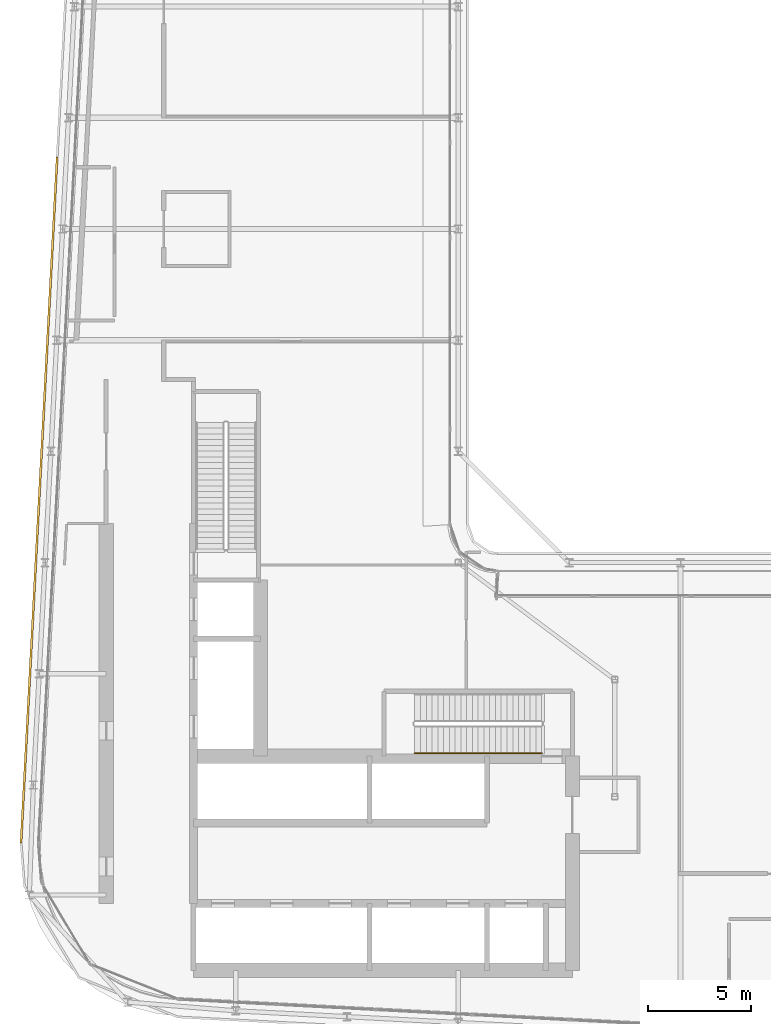
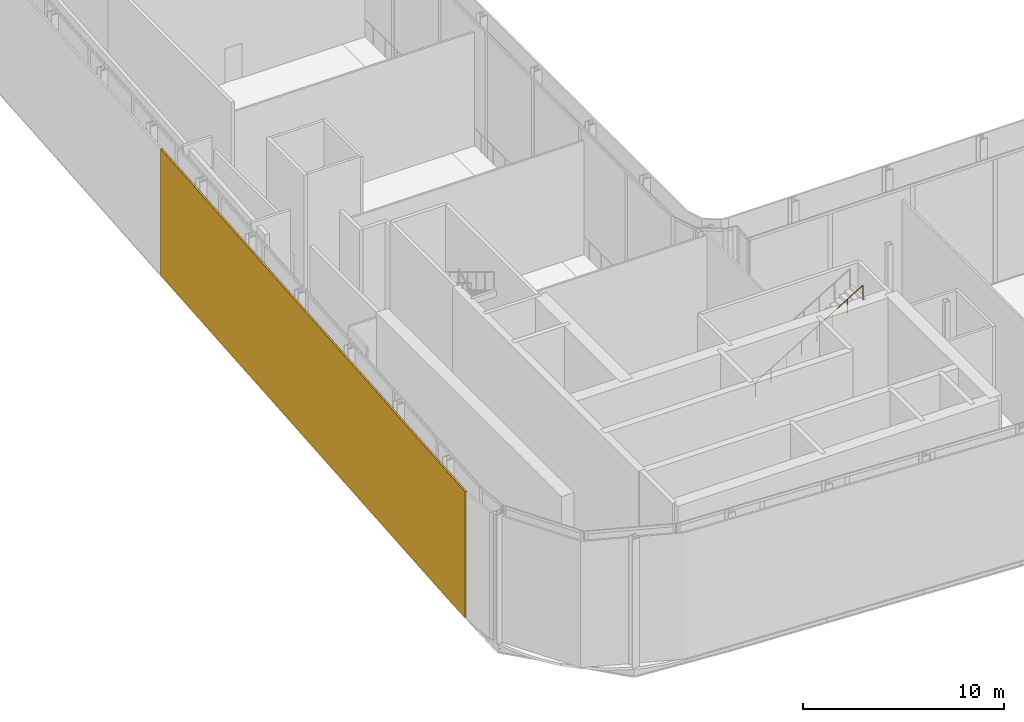
# One storey, part 32 of 38: 1 railing, 1 shading device.
"""IFC4 building model written with IfcOpenShell, lengths in metres."""

from ifc_helpers import new_model, si_unit, direction, frame, origin, origin_2d, place, context, subcontext, project, spatial, rectangle, circle, extrude, material, layer, layer_set, type_object, element, save


model = new_model("IFC4")

# Units and contexts
model_context = context("Model", 3, precision=1e-05, world=origin(), true_north=direction((0.0, 1.0)))
body_context = subcontext(model_context, "Body", "Model", "MODEL_VIEW")
ifc_project = project(units=[si_unit("LENGTHUNIT", "METRE"), si_unit("AREAUNIT", "SQUARE_METRE"), si_unit("VOLUMEUNIT", "CUBIC_METRE"), si_unit("PLANEANGLEUNIT", "RADIAN"), si_unit("MASSUNIT", "GRAM", prefix="KILO")], contexts=[model_context])

# Site, building, storey
site_placement = place(None, origin())
site = spatial("IfcSite", under=ifc_project, at=site_placement, CompositionType="ELEMENT")
building_placement = place(site_placement, origin())
building = spatial("IfcBuilding", under=site, at=building_placement, Name="Kheshtan School and Residences Tower", CompositionType="ELEMENT")
storey_placement = place(building_placement, frame((0.0, 0.0, 203.300048828125)))
storey = spatial("IfcBuildingStorey", under=building, at=storey_placement, Name="L48", CompositionType="ELEMENT", Elevation=203.300048828125)

# Shading device
ifc_material_1 = material(Name="Terracotta baguette, extruded ceramic", Category="masonry")
ifc_layer = layer(ifc_material_1, 0.10009765625)
ifc_layer_set = layer_set([ifc_layer], Name="Ledge screen, terracotta baguettes")
shading_device_type = type_object("IfcShadingDeviceType", Name="Ledge screen, terracotta baguettes", PredefinedType="USERDEFINED", material=ifc_layer_set)
shading_device_placement = place(storey_placement, frame((27.24609375, 48.638916015625, 0.0), z_axis=(0.0, 0.0, 1.0), x_axis=(0.052562536748, 0.998617634398, 0.0)))
element("IfcShadingDevice", 1, at=shading_device_placement, inside=storey, type_object=shading_device_type, Name="Screen L48 6", ObjectType="BAGUETTE", PredefinedType="USERDEFINED", context=body_context, shape_type="SweptSolid", body=[
    extrude(rectangle(XDim=33.341064453125, YDim=0.10009765625, at=origin_2d()), origin(), (0.0, 0.0, 1.0), 7.64990234375),
])

# Railing
ifc_material_2 = material(Name="Stainless steel handrail", Category="steel")
railing_type = type_object("IfcRailingType", Name="Stair handrail 900", PredefinedType="HANDRAIL", material=ifc_material_2)
railing_placement = place(storey_placement, frame((45.489990234375, 36.35009765625, 4.069580078125)))
element("IfcRailing", 2, at=railing_placement, inside=storey, type_object=railing_type, Name="L48 ST1 stair handrail 2", PredefinedType="HANDRAIL", context=body_context, shape_type="SweptSolid", body=[
    extrude(circle(Radius=0.02392578125, at=origin_2d()), frame((0.0, 0.0, 0.8759765625), z_axis=(0.855370820849, 0.0, 0.518016176234), x_axis=(0.0, 1.0, 0.0)), (0.0, 0.0, 1.0), 7.201416015625),
    extrude(circle(Radius=0.02099609375, at=origin_2d()), origin(), (0.0, 0.0, 1.0), 0.851806640625),
    extrude(circle(Radius=0.02099609375, at=origin_2d()), frame((0.8798828125, 0.0, 0.532958984375)), (0.0, 0.0, 1.0), 0.851806640625),
    extrude(circle(Radius=0.02099609375, at=origin_2d()), frame((1.760009765625, 0.0, 1.06591796875)), (0.0, 0.0, 1.0), 0.851806640625),
    extrude(circle(Radius=0.02099609375, at=origin_2d()), frame((2.639892578125, 0.0, 1.598876953125)), (0.0, 0.0, 1.0), 0.851806640625),
    extrude(circle(Radius=0.02099609375, at=origin_2d()), frame((3.52001953125, 0.0, 2.131591796875)), (0.0, 0.0, 1.0), 0.851806640625),
    extrude(circle(Radius=0.02099609375, at=origin_2d()), frame((4.39990234375, 0.0, 2.66455078125)), (0.0, 0.0, 1.0), 0.851806640625),
    extrude(circle(Radius=0.02099609375, at=origin_2d()), frame((5.280029296875, 0.0, 3.197509765625)), (0.0, 0.0, 1.0), 0.851806640625),
    extrude(circle(Radius=0.02099609375, at=origin_2d()), frame((6.159912109375, 0.0, 3.73046875)), (0.0, 0.0, 1.0), 0.851806640625),
])

save(model, "model.ifc")
